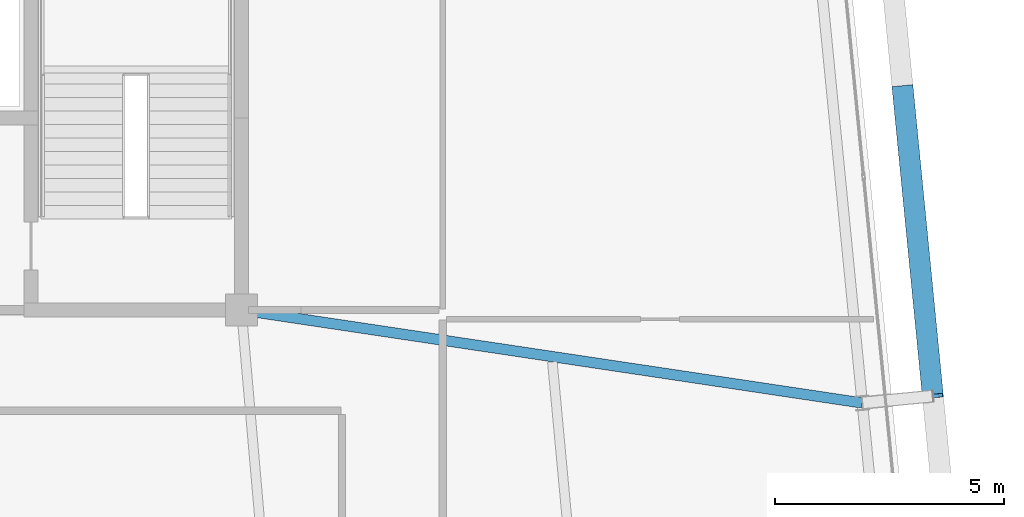
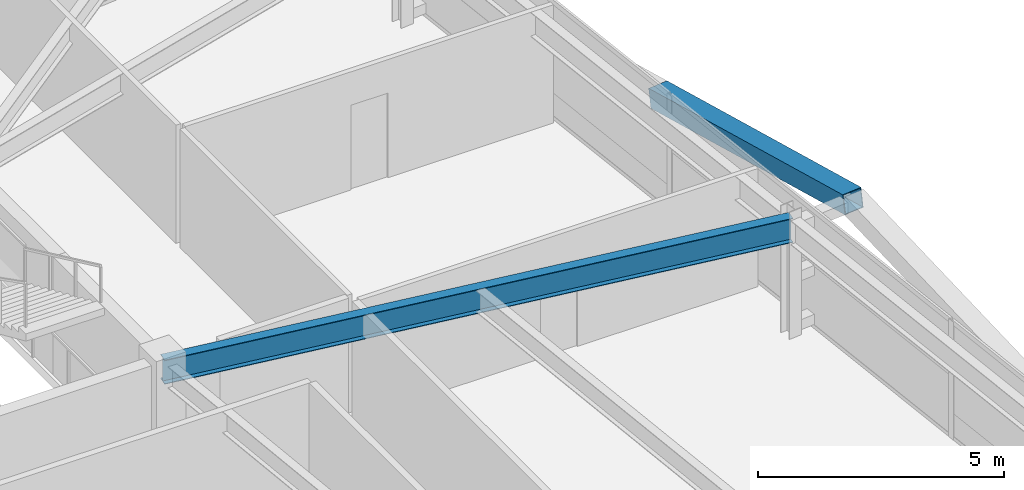
# One storey, part 22 of 47: 1 beam, 1 member.
"""IFC4 building model written with IfcOpenShell, lengths in metres."""

from ifc_helpers import new_model, si_unit, direction, frame, origin, origin_2d, place, context, subcontext, project, spatial, hollow_rectangle, i_section, extrude, source, transform, mapped, material, material_profile, profile_set, type_object, element, save


model = new_model("IFC4")

# Units and contexts
model_context = context("Model", 3, precision=1e-05, world=origin(), true_north=direction((0.0, 1.0)))
body_context = subcontext(model_context, "Body", "Model", "MODEL_VIEW")
ifc_project = project(units=[si_unit("LENGTHUNIT", "METRE"), si_unit("AREAUNIT", "SQUARE_METRE"), si_unit("VOLUMEUNIT", "CUBIC_METRE"), si_unit("PLANEANGLEUNIT", "RADIAN"), si_unit("MASSUNIT", "GRAM", prefix="KILO")], contexts=[model_context])

# Site, building, storey
site_placement = place(None, origin())
site = spatial("IfcSite", under=ifc_project, at=site_placement, CompositionType="ELEMENT")
building_placement = place(site_placement, origin())
building = spatial("IfcBuilding", under=site, at=building_placement, Name="Taldren Reach Tower", CompositionType="ELEMENT")
storey_placement = place(building_placement, frame((0.0, 0.0, 106.050048828125)))
storey = spatial("IfcBuildingStorey", under=building, at=storey_placement, Name="L32", CompositionType="ELEMENT", Elevation=106.050048828125)

# Beam
ifc_material_1 = material(Name="Steel Gr 350 (350PLUS)", Category="steel")
ifc_material_profile_1 = material_profile(ifc_material_1, i_section(OverallWidth=0.22802734375, OverallDepth=0.60205078125, WebThickness=0.010498046875, FlangeThickness=0.014892578125, at=origin_2d()), Name="610UB101")
ifc_profile_set_1 = profile_set([ifc_material_profile_1], Name="Steel Gr 350 (350PLUS)")
beam_type = type_object("IfcBeamType", Name="BM-UB610B", PredefinedType="BEAM", material=ifc_profile_set_1)
shared_shape_1 = source(origin(), body_context, "Body", "SweptSolid", [
    extrude(i_section(OverallWidth=0.22802734375, OverallDepth=0.60205078125, WebThickness=0.010498046875, FlangeThickness=0.014892578125, at=origin_2d()), origin(), (0.0, 0.0, 1.0), 13.720703125),
])
beam_placement = place(storey_placement, frame((51.0, 24.0, 2.62890625), z_axis=(0.988983679407, -0.148024598856, 0.0), x_axis=(0.148024598856, 0.988983679407, 0.0)))
element("IfcBeam", 1, at=beam_placement, inside=storey, type_object=beam_type, Name="Primary floor girder B2-E2 L32", PredefinedType="BEAM", context=body_context, shape_type="MappedRepresentation", body=[
    mapped(shared_shape_1, transform((0.0, 0.0, 0.0), scale=1.0)),
])

# Member
ifc_material_2 = material(Name="Steel Gr 450 (C450L0)", Category="steel")
ifc_material_profile_2 = material_profile(ifc_material_2, hollow_rectangle(XDim=0.4599609375, YDim=0.4599609375, WallThickness=0.01611328125, at=origin_2d()), Name="460x460x16.0SHS")
ifc_profile_set_2 = profile_set([ifc_material_profile_2], Name="Steel Gr 450 (C450L0)")
member_type = type_object("IfcMemberType", Name="MB-EXO457", PredefinedType="BRACE", material=ifc_profile_set_2)
shared_shape_2 = source(origin(), body_context, "Body", "SweptSolid", [
    extrude(hollow_rectangle(XDim=0.4599609375, YDim=0.4599609375, WallThickness=0.01611328125, at=origin_2d()), origin(), (0.0, 0.0, 1.0), 6.883056640625),
])
member_placement = place(storey_placement, frame((65.450927734375, 28.86279296875, 1.43505859375), z_axis=(0.096052059581, -0.979603316657, 0.176497432967), x_axis=(0.995227290009, 0.097584021339, 0.0)))
element("IfcMember", 2, at=member_placement, inside=storey, type_object=member_type, Name="Exoskeleton Diagrid Brace B2-E2 L32", PredefinedType="BRACE", context=body_context, shape_type="MappedRepresentation", body=[
    mapped(shared_shape_2, transform((0.0, 0.0, 0.0), scale=1.0)),
])

save(model, "model.ifc")
